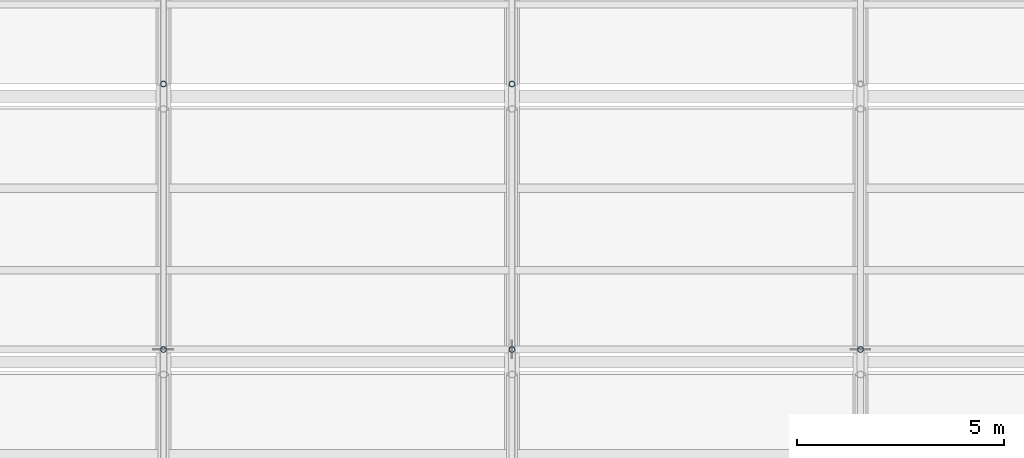
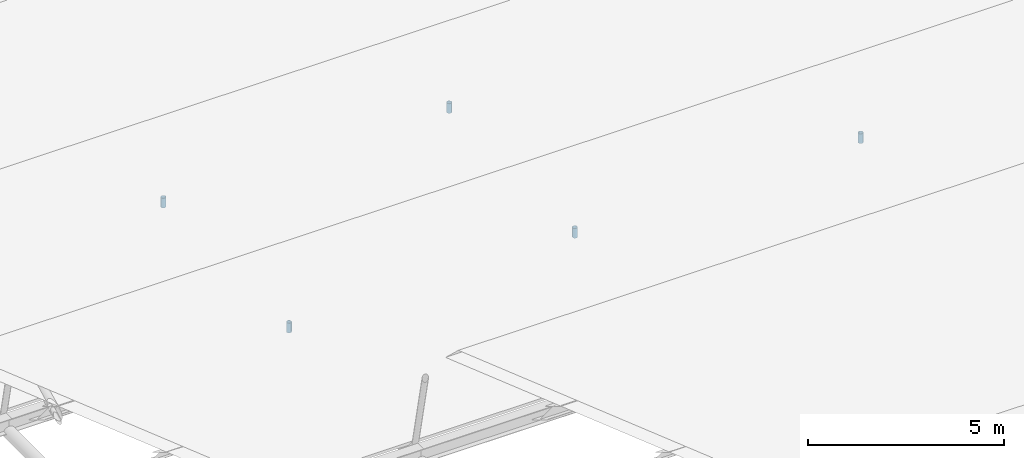
# One storey, part 123 of 194: 5 members.
"""IFC4 building model written with IfcOpenShell, lengths in metres."""

from ifc_helpers import new_model, si_unit, direction, frame, origin, origin_2d, place, context, subcontext, project, spatial, hollow_circle, extrude, material, material_profile, profile_set, type_object, element, save


model = new_model("IFC4")

# Units and contexts
model_context = context("Model", 3, precision=1e-05, world=origin(), true_north=direction((0.0, 1.0)))
body_context = subcontext(model_context, "Body", "Model", "MODEL_VIEW")
ifc_project = project(units=[si_unit("LENGTHUNIT", "METRE"), si_unit("AREAUNIT", "SQUARE_METRE"), si_unit("VOLUMEUNIT", "CUBIC_METRE"), si_unit("PLANEANGLEUNIT", "RADIAN"), si_unit("MASSUNIT", "GRAM", prefix="KILO")], contexts=[model_context])

# Site, building, storey
site_placement = place(None, origin())
site = spatial("IfcSite", under=ifc_project, at=site_placement, CompositionType="ELEMENT")
building_placement = place(site_placement, origin())
building = spatial("IfcBuilding", under=site, at=building_placement, Name="Kazenagashi Tramway Depot", CompositionType="ELEMENT")
storey_placement = place(building_placement, frame((0.0, 0.0, 23.7)))
storey = spatial("IfcBuildingStorey", under=building, at=storey_placement, Name="ROOF", CompositionType="ELEMENT", Elevation=23.7)

# Members
ifc_material = material(Name="Steel STK490", Category="steel")
ifc_material_profile = material_profile(ifc_material, hollow_circle(Radius=0.0699, WallThickness=0.0066, at=origin_2d()), Name="CHS-139.8x6.6")
ifc_profile_set = profile_set([ifc_material_profile], Name="Steel STK490")
member_type = type_object("IfcMemberType", Name="TS-02", PredefinedType="STRUT", material=ifc_profile_set)
for number, where, z_axis, x_axis, name in (
    (1, (70.0, 35.7, -8.9), (0.0, 0.0, 1.0), (1.0, 0.0, 0.0), "Roof Truss TS-02 MEM-1248"),
    (2, (70.0, 42.1, -8.9), (0.0, 0.0, 1.0), (1.0, 0.0, 0.0), "Roof Truss TS-02 MEM-1253"),
    (3, (78.4, 35.7, -8.9), (0.0, 0.0, 1.0), (1.0, 0.0, 0.0), "Roof Truss TS-02 MEM-1277"),
    (4, (78.4, 42.1, -8.9), (0.0, 0.0, 1.0), (1.0, 0.0, 0.0), "Roof Truss TS-02 MEM-1282"),
    (5, (86.8, 35.7, -8.9), (0.0, 0.0, 1.0), (1.0, 0.0, 0.0), "Roof Truss TS-02 MEM-1306"),
):
    element("IfcMember", number, at=place(storey_placement, frame(where, z_axis=z_axis, x_axis=x_axis)), inside=storey, type_object=member_type, Name=name, PredefinedType="STRUT", context=body_context, shape_type="SweptSolid", body=[
        extrude(hollow_circle(Radius=0.0699, WallThickness=0.0066, at=origin_2d()), origin(), (0.0, 0.0, 1.0), 0.3),
    ])

save(model, "model.ifc")
